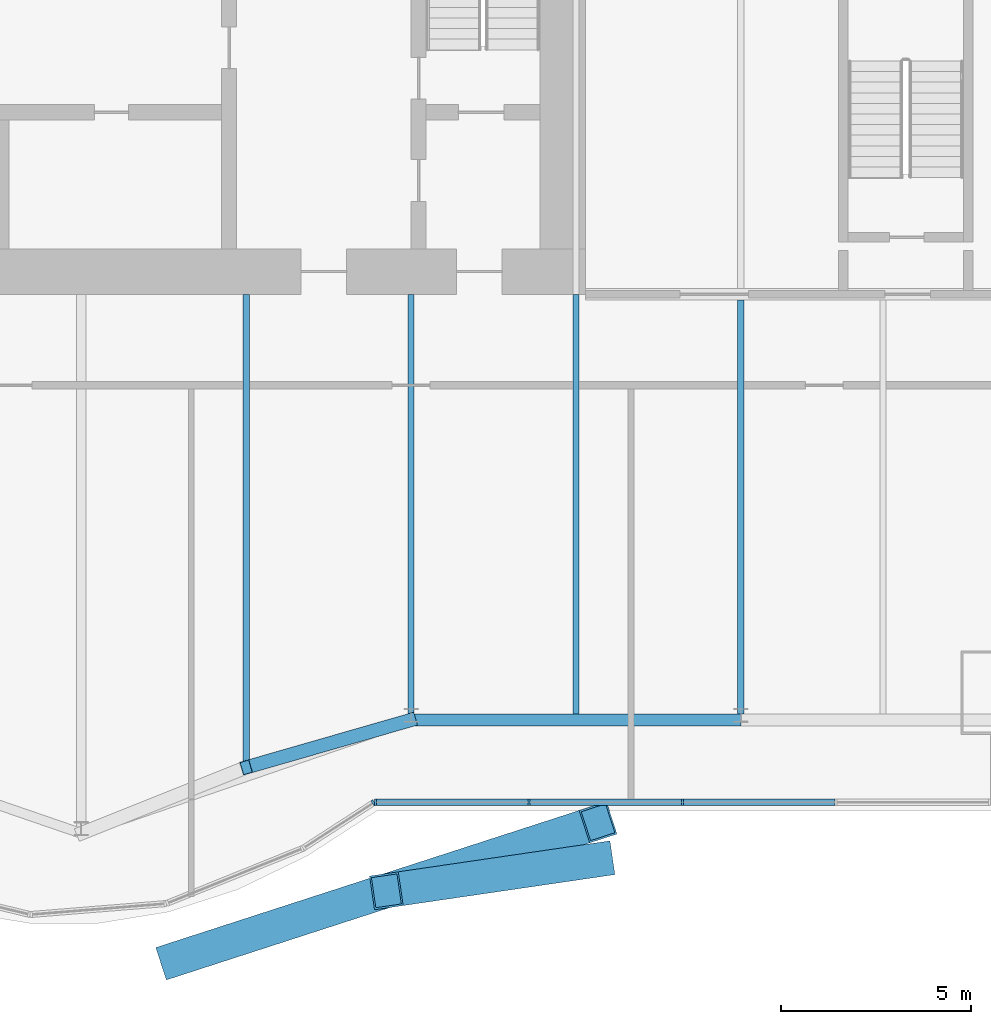
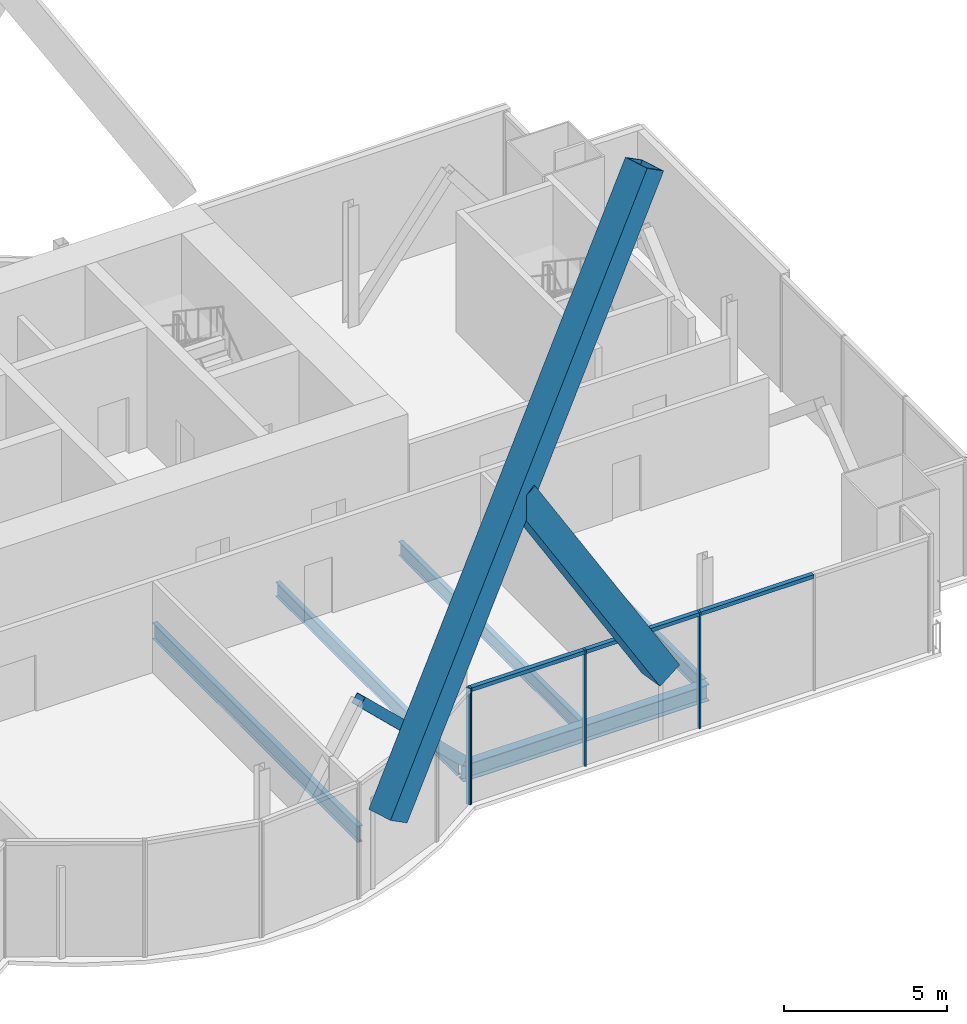
# One storey, part 10 of 20: 10 members, 5 beams, 2 elements without a shape of their own.
"""IFC4 building model written with IfcOpenShell, lengths in metres."""

import ifcopenshell
import ifcopenshell.guid

model = None  # the IFC model being written
_history = None  # IfcOwnerHistory: only IFC2X3 demands one
_inside = {}  # id of a spatial element -> (the spatial element, [elements in it])
_under = {}  # id of a project, library or spatial element -> (it, [spatial elements below it])
_declared = {}  # id of a project -> (the project, [libraries it declares])
_typed = {}  # id of a type object -> (the type object, [elements of that type])
_made_of = {}  # id of a material, layer set ... -> (it, [elements and type objects made of it])


def new_model(schema):
    """Start an empty IFC model of exactly this schema.

    Asked for "IFC4X3", IfcOpenShell would pick the latest addendum, in which some entities
    have other attributes; the version numbers below select the first issue.
    IFC2X3 requires an IfcOwnerHistory on every rooted entity: one is made here for all.
    """
    global model, _history
    if schema == "IFC4X3":
        model = ifcopenshell.file(schema_version=(4, 3, 0, 0))
    else:
        model = ifcopenshell.file(schema=schema)
    _inside.clear()
    _under.clear()
    _declared.clear()
    _typed.clear()
    _made_of.clear()
    _history = None
    if model.schema == "IFC2X3":
        org = make("IfcOrganization", Name="unknown")
        user = make(
            "IfcPersonAndOrganization",
            ThePerson=make("IfcPerson", FamilyName="unknown"),
            TheOrganization=org,
        )
        app = make(
            "IfcApplication",
            ApplicationDeveloper=org,
            Version="unknown",
            ApplicationFullName="unknown",
            ApplicationIdentifier="unknown",
        )
        _history = make(
            "IfcOwnerHistory",
            OwningUser=user,
            OwningApplication=app,
            ChangeAction="ADDED",
            CreationDate=0,
        )
    return model


def make(cls, **values):
    """One entity of the class cls with the attributes given. An attribute that is None is left unset."""
    return model.create_entity(
        cls, **{name: value for name, value in values.items() if value is not None}
    )


def rooted(cls, **values):
    """An entity with a GlobalId (a new one), such as an element, a storey or a relation."""
    return make(cls, GlobalId=ifcopenshell.guid.new(), OwnerHistory=_history, **values)


def si_unit(unit_type, name, prefix=None):
    """IfcSIUnit, for example si_unit("LENGTHUNIT", "METRE", prefix="MILLI")."""
    return make("IfcSIUnit", UnitType=unit_type, Prefix=prefix, Name=name)


def assignment(units):
    """IfcUnitAssignment: the units of a project."""
    return None if units is None else make("IfcUnitAssignment", Units=units)


def point(xyz):
    """IfcCartesianPoint."""
    return None if xyz is None else make("IfcCartesianPoint", Coordinates=xyz)


def direction(xyz):
    """IfcDirection."""
    return None if xyz is None else make("IfcDirection", DirectionRatios=xyz)


def frame(location, z_axis=None, x_axis=None):
    """IfcAxis2Placement3D, a coordinate frame: its origin and axes. An axis left out is left unset."""
    return make(
        "IfcAxis2Placement3D",
        Location=point(location),
        Axis=direction(z_axis),
        RefDirection=direction(x_axis),
    )


def frame_2d(location, x_axis=None):
    """IfcAxis2Placement2D, a coordinate frame in the plane: its origin and x axis."""
    return make(
        "IfcAxis2Placement2D", Location=point(location), RefDirection=direction(x_axis)
    )


def origin():
    """The frame at (0, 0, 0) with its axes left unset."""
    return frame((0.0, 0.0, 0.0))


def origin_2d():
    """The frame at (0, 0) in the plane with its x axis left unset."""
    return frame_2d((0.0, 0.0))


def place(relative_to, where):
    """IfcLocalPlacement: puts the frame where relative to a parent placement (None: the world)."""
    return make(
        "IfcLocalPlacement", PlacementRelTo=relative_to, RelativePlacement=where
    )


def context(
    kind, dimensions, precision=None, world=None, true_north=None, identifier=None
):
    """IfcGeometricRepresentationContext, for example the 3D "Model" context."""
    return make(
        "IfcGeometricRepresentationContext",
        ContextIdentifier=identifier,
        ContextType=kind,
        CoordinateSpaceDimension=dimensions,
        Precision=precision,
        WorldCoordinateSystem=world,
        TrueNorth=true_north,
    )


def subcontext(parent, identifier, kind, view, scale=None):
    """IfcGeometricRepresentationSubContext, for example "Body" below "Model"."""
    return make(
        "IfcGeometricRepresentationSubContext",
        ContextIdentifier=identifier,
        ContextType=kind,
        ParentContext=parent,
        TargetScale=scale,
        TargetView=view,
    )


def project(units=None, contexts=None):
    """IfcProject with its units and contexts."""
    return rooted(
        "IfcProject",
        Name="project",
        RepresentationContexts=contexts,
        UnitsInContext=assignment(units),
    )


def spatial(cls, under=None, at=None, **own):
    """A site, building, storey or space (cls), placed at a placement, below another one or the project."""
    s = rooted(cls, ObjectPlacement=at, **own)
    if under is not None:
        _under.setdefault(under.id(), (under, []))[1].append(s)
    return s


def profile(cls, at=None, kind="AREA", **sizes):
    """A parametric profile (cls). Its sizes go by their IFC names, for example OverallWidth=200.0."""
    return make(cls, ProfileType=kind, Position=at, **sizes)


def rectangle(**sizes):
    """IfcRectangleProfileDef."""
    return profile("IfcRectangleProfileDef", **sizes)


def hollow_rectangle(**sizes):
    """IfcRectangleHollowProfileDef."""
    return profile("IfcRectangleHollowProfileDef", **sizes)


def i_section(**sizes):
    """IfcIShapeProfileDef."""
    return profile("IfcIShapeProfileDef", **sizes)


def extrude(swept, where, along, depth):
    """IfcExtrudedAreaSolid: the profile swept, set in the frame where, extruded along a direction by depth."""
    return make(
        "IfcExtrudedAreaSolid",
        SweptArea=swept,
        Position=where,
        ExtrudedDirection=direction(along),
        Depth=depth,
    )


def shape(context_of_items, identifier, shape_type, items):
    """IfcShapeRepresentation: the items that make up one representation, for example the "Body"."""
    return make(
        "IfcShapeRepresentation",
        ContextOfItems=context_of_items,
        RepresentationIdentifier=identifier,
        RepresentationType=shape_type,
        Items=items,
    )


def material(Name=None, Category=None):
    """IfcMaterial."""
    return make("IfcMaterial", Name=Name, Category=Category)


def material_profile(
    of_material, cross_section, Name=None, Category=None, Priority=None
):
    """IfcMaterialProfile: a cross section and its material."""
    return make(
        "IfcMaterialProfile",
        Name=Name,
        Material=of_material,
        Profile=cross_section,
        Priority=Priority,
        Category=Category,
    )


def profile_set(profiles, Name=None, composite=None):
    """IfcMaterialProfileSet."""
    return make(
        "IfcMaterialProfileSet",
        Name=Name,
        MaterialProfiles=profiles,
        CompositeProfile=composite,
    )


def made_of(thing, what):
    """Note that an element or type object is made of a material, layer set ...; save() writes the relation."""
    if what is not None:
        _made_of.setdefault(what.id(), (what, []))[1].append(thing)
    return thing


def type_object(cls, material=None, **own):
    """A type object (cls), such as IfcWallType, which elements share."""
    return made_of(rooted(cls, **own), material)


def element(
    cls,
    number,
    at=None,
    inside=None,
    cuts=None,
    type_object=None,
    material=None,
    context=None,
    identifier="Body",
    shape_type=None,
    held_by="IfcProductDefinitionShape",
    body=None,
    shapes=None,
    **own,
):
    """One element of the class cls, such as IfcWall. Its Tag is "e" and its number.

    at: its placement. inside: the storey or other place that contains it. cuts: it is an
    opening in that element (IfcRelVoidsElement). A single representation is given by context,
    identifier, shape_type and body (its items); several are given by shapes. held_by: the class
    of the entity that holds the representations. save() writes the other relations.
    """
    e = rooted(cls, Tag="e%d" % number, ObjectPlacement=at, **own)
    if body is not None:
        shapes = [shape(context, identifier, shape_type, body)]
    if shapes is not None:
        e.Representation = make(held_by, Representations=shapes)
    if inside is not None:
        _inside.setdefault(inside.id(), (inside, []))[1].append(e)
    if cuts is not None:
        rooted(
            "IfcRelVoidsElement", RelatingBuildingElement=cuts, RelatedOpeningElement=e
        )
    if type_object is not None:
        _typed.setdefault(type_object.id(), (type_object, []))[1].append(e)
    return made_of(e, material)


def aggregate(whole, parts):
    """IfcRelAggregates: a whole, such as a stair, and the parts it consists of."""
    return rooted("IfcRelAggregates", RelatingObject=whole, RelatedObjects=parts)


def save(model, path):
    """Write the relations noted so far, then the file.

    IfcRelAggregates (storeys below a building ...), IfcRelContainedInSpatialStructure (elements
    in a storey), IfcRelDefinesByType, IfcRelAssociatesMaterial and IfcRelDeclares: one each for
    every whole, place, type object, material and project.
    """
    for whole, parts in _under.values():
        aggregate(whole, parts)
    for where, things in _inside.values():
        rooted(
            "IfcRelContainedInSpatialStructure",
            RelatedElements=things,
            RelatingStructure=where,
        )
    for kind, things in _typed.values():
        rooted("IfcRelDefinesByType", RelatedObjects=things, RelatingType=kind)
    for what, things in _made_of.values():
        rooted("IfcRelAssociatesMaterial", RelatedObjects=things, RelatingMaterial=what)
    for by, libraries in _declared.values():
        rooted("IfcRelDeclares", RelatingContext=by, RelatedDefinitions=libraries)
    model.write(path)


model = new_model("IFC4")

# Units and contexts
model_context = context("Model", 3, precision=1e-05, world=origin(), true_north=direction((0.0, 1.0)))
body_context = subcontext(model_context, "Body", "Model", "MODEL_VIEW")
ifc_project = project(units=[si_unit("LENGTHUNIT", "METRE"), si_unit("AREAUNIT", "SQUARE_METRE"), si_unit("VOLUMEUNIT", "CUBIC_METRE"), si_unit("PLANEANGLEUNIT", "RADIAN"), si_unit("MASSUNIT", "GRAM", prefix="KILO")], contexts=[model_context])

# Site, building, storey
site_placement = place(None, origin())
site = spatial("IfcSite", under=ifc_project, at=site_placement, CompositionType="ELEMENT")
building_placement = place(site_placement, origin())
building = spatial("IfcBuilding", under=site, at=building_placement, Name="Bicima Exchange Tower", CompositionType="ELEMENT")
storey_placement = place(building_placement, frame((0.0, 0.0, 306.5)))
storey = spatial("IfcBuildingStorey", under=building, at=storey_placement, Name="L69", CompositionType="ELEMENT", Elevation=306.5)

# Members
ifc_material_1 = material(Name="Steel ASTM A572 Gr 50", Category="steel")
ifc_material_profile_1 = material_profile(ifc_material_1, hollow_rectangle(XDim=0.89990234375, YDim=0.89990234375, WallThickness=0.050048828125, at=origin_2d()))
ifc_profile_set_1 = profile_set([ifc_material_profile_1], Name="Steel ASTM A572 Gr 50")
member_type_1 = type_object("IfcMemberType", Name="Exo mega brace BOX 900x900x50", PredefinedType="BRACE", material=ifc_profile_set_1)
member_1_placement = place(storey_placement, frame((11.166748046875, -30.54248046875, 3.88330078125), z_axis=(0.513950604062, 0.166451316148, 0.841515737189), x_axis=(-0.308110461288, 0.951350589239, 0.0)))
element("IfcMember", 1, at=member_1_placement, inside=storey, type_object=member_type_1, Name="Exo mega brace front", PredefinedType="BRACE", context=body_context, shape_type="SweptSolid", body=[
    extrude(hollow_rectangle(XDim=0.89990234375, YDim=0.89990234375, WallThickness=0.050048828125, at=origin_2d()), origin(), (0.0, 0.0, 1.0), 21.726806640625),
])
member_2_placement = place(storey_placement, frame((22.333251953125, -27.91748046875, 3.88330078125), z_axis=(-0.519717785341, -0.076040741167, 0.850947254113), x_axis=(0.144770251617, -0.989465297141, 0.0)))
element("IfcMember", 2, at=member_2_placement, inside=storey, type_object=member_type_1, Name="Exo mega brace front", PredefinedType="BRACE", context=body_context, shape_type="SweptSolid", body=[
    extrude(hollow_rectangle(XDim=0.89990234375, YDim=0.89990234375, WallThickness=0.050048828125, at=origin_2d()), origin(), (0.0, 0.0, 1.0), 10.742919921875),
])

# Beams
ifc_material_2 = material(Name="Steel ASTM A992 Gr 50", Category="steel")
ifc_material_profile_2 = material_profile(ifc_material_2, i_section(OverallWidth=0.165771484375, OverallDepth=0.5283203125, WebThickness=0.009765625, FlangeThickness=0.013671875, at=origin_2d()))
ifc_profile_set_2 = profile_set([ifc_material_profile_2], Name="Steel ASTM A992 Gr 50")
beam_type_1 = type_object("IfcBeamType", Name="Floor beam W21x50", PredefinedType="JOIST", material=ifc_profile_set_2)
beam_1_placement = place(storey_placement, frame((17.39990234375, -13.0, -0.414306640625), z_axis=(0.0, -1.0, 0.0), x_axis=(1.0, 0.0, 0.0)))
element("IfcBeam", 3, at=beam_1_placement, inside=storey, type_object=beam_type_1, Name="Floor beam", PredefinedType="JOIST", context=body_context, shape_type="SweptSolid", body=[
    extrude(i_section(OverallWidth=0.165771484375, OverallDepth=0.5283203125, WebThickness=0.009765625, FlangeThickness=0.013671875, at=origin_2d()), origin(), (0.0, 0.0, 1.0), 11.09228515625),
])
beam_2_placement = place(storey_placement, frame((21.75, -13.0, -0.414306640625), z_axis=(0.0, -1.0, 0.0), x_axis=(1.0, 0.0, 0.0)))
element("IfcBeam", 4, at=beam_2_placement, inside=storey, type_object=beam_type_1, Name="Floor beam", PredefinedType="JOIST", context=body_context, shape_type="SweptSolid", body=[
    extrude(i_section(OverallWidth=0.165771484375, OverallDepth=0.5283203125, WebThickness=0.009765625, FlangeThickness=0.013671875, at=origin_2d()), origin(), (0.0, 0.0, 1.0), 11.0654296875),
])
beam_3_placement = place(storey_placement, frame((26.10009765625, -13.15234375, -0.414306640625), z_axis=(0.0, -1.0, 0.0), x_axis=(1.0, 0.0, 0.0)))
element("IfcBeam", 5, at=beam_3_placement, inside=storey, type_object=beam_type_1, Name="Floor beam", PredefinedType="JOIST", context=body_context, shape_type="SweptSolid", body=[
    extrude(i_section(OverallWidth=0.165771484375, OverallDepth=0.5283203125, WebThickness=0.009765625, FlangeThickness=0.013671875, at=origin_2d()), origin(), (0.0, 0.0, 1.0), 10.9130859375),
])
ifc_material_profile_3 = material_profile(ifc_material_2, i_section(OverallWidth=0.177978515625, OverallDepth=0.599365234375, WebThickness=0.010009765625, FlangeThickness=0.012939453125, at=origin_2d()))
ifc_profile_set_3 = profile_set([ifc_material_profile_3], Name="Steel ASTM A992 Gr 50")
beam_type_2 = type_object("IfcBeamType", Name="Floor beam W24x55", PredefinedType="JOIST", material=ifc_profile_set_3)
beam_4_placement = place(storey_placement, frame((13.050048828125, -13.0, -0.44970703125), z_axis=(0.0, -1.0, 0.0), x_axis=(1.0, 0.0, 0.0)))
element("IfcBeam", 6, at=beam_4_placement, inside=storey, type_object=beam_type_2, Name="Floor beam", PredefinedType="JOIST", context=body_context, shape_type="SweptSolid", body=[
    extrude(i_section(OverallWidth=0.177978515625, OverallDepth=0.599365234375, WebThickness=0.010009765625, FlangeThickness=0.012939453125, at=origin_2d()), origin(), (0.0, 0.0, 1.0), 12.587890625),
])
ifc_material_profile_4 = material_profile(ifc_material_2, i_section(OverallWidth=0.3251953125, OverallDepth=0.612060546875, WebThickness=0.0126953125, FlangeThickness=0.01904296875, at=origin_2d()))
ifc_profile_set_4 = profile_set([ifc_material_profile_4], Name="Steel ASTM A992 Gr 50")
beam_type_3 = type_object("IfcBeamType", Name="Front girder W24x104", PredefinedType="BEAM", material=ifc_profile_set_4)
beam_5_placement = place(storey_placement, frame((17.39990234375, -24.22802734375, -0.4560546875), z_axis=(1.0, 0.0, 0.0), x_axis=(0.0, 1.0, 0.0)))
element("IfcBeam", 7, at=beam_5_placement, inside=storey, type_object=beam_type_3, Name="Front girder", PredefinedType="BEAM", context=body_context, shape_type="SweptSolid", body=[
    extrude(i_section(OverallWidth=0.3251953125, OverallDepth=0.612060546875, WebThickness=0.0126953125, FlangeThickness=0.01904296875, at=origin_2d()), origin(), (0.0, 0.0, 1.0), 8.7001953125),
])

# Curtain wall, member
ifc_material_3 = material(Name="Anodised bronze aluminium", Category="aluminium")
curtain_wall_type = type_object("IfcCurtainWallType", Name="Front glass wall", PredefinedType="NOTDEFINED", material=ifc_material_3)
curtain_wall_1_placement = place(storey_placement, origin())
curtain_wall_1 = element("IfcCurtainWall", 8, at=curtain_wall_1_placement, inside=storey, type_object=curtain_wall_type, Name="Front glass wall L69 run 11", PredefinedType="NOTDEFINED")
ifc_material_profile_5 = material_profile(ifc_material_3, rectangle(XDim=0.159912109375, YDim=0.06005859375, at=origin_2d()))
ifc_profile_set_5 = profile_set([ifc_material_profile_5], Name="Anodised bronze aluminium")
member_type_2 = type_object("IfcMemberType", Name="Front glass wall mullion 60 x 160", PredefinedType="MULLION", material=ifc_profile_set_5)
member_3_placement = place(storey_placement, frame((16.406982421875, -26.414306640625, 0.0), z_axis=(0.0, 0.0, 1.0), x_axis=(-0.542909183079, 0.839791413941, 0.0)))
member_3 = element("IfcMember", 9, at=member_3_placement, type_object=member_type_2, Name="Front glass wall mullion 2", PredefinedType="MULLION", context=body_context, shape_type="SweptSolid", body=[
    extrude(rectangle(XDim=0.159912109375, YDim=0.06005859375, at=origin_2d()), origin(), (0.0, 0.0, 1.0), 4.35009765625),
])
aggregate(curtain_wall_1, [member_3])

# Curtain wall, members
curtain_wall_2_placement = place(storey_placement, origin())
curtain_wall_2 = element("IfcCurtainWall", 10, at=curtain_wall_2_placement, inside=storey, type_object=curtain_wall_type, Name="Front glass wall L69 run 16", PredefinedType="NOTDEFINED")
member_4_placement = place(storey_placement, frame((16.462158203125, -26.39794921875, 0.0), z_axis=(0.0, 0.0, 1.0), x_axis=(0.0, 1.0, 0.0)))
member_4 = element("IfcMember", 11, at=member_4_placement, type_object=member_type_2, Name="Front glass wall mullion 1", PredefinedType="MULLION", context=body_context, shape_type="SweptSolid", body=[
    extrude(rectangle(XDim=0.159912109375, YDim=0.06005859375, at=origin_2d()), origin(), (0.0, 0.0, 1.0), 4.35009765625),
])
member_5_placement = place(storey_placement, frame((20.51171875, -26.39794921875, 0.0), z_axis=(0.0, 0.0, 1.0), x_axis=(0.0, 1.0, 0.0)))
member_5 = element("IfcMember", 12, at=member_5_placement, type_object=member_type_2, Name="Front glass wall mullion 2", PredefinedType="MULLION", context=body_context, shape_type="SweptSolid", body=[
    extrude(rectangle(XDim=0.159912109375, YDim=0.06005859375, at=origin_2d()), origin(), (0.0, 0.0, 1.0), 4.35009765625),
])
member_6_placement = place(storey_placement, frame((24.56103515625, -26.39794921875, 0.0), z_axis=(0.0, 0.0, 1.0), x_axis=(0.0, 1.0, 0.0)))
member_6 = element("IfcMember", 13, at=member_6_placement, type_object=member_type_2, Name="Front glass wall mullion 3", PredefinedType="MULLION", context=body_context, shape_type="SweptSolid", body=[
    extrude(rectangle(XDim=0.159912109375, YDim=0.06005859375, at=origin_2d()), origin(), (0.0, 0.0, 1.0), 4.35009765625),
])
ifc_material_profile_6 = material_profile(ifc_material_3, rectangle(XDim=0.159912109375, YDim=0.139892578125, at=origin_2d()))
ifc_profile_set_6 = profile_set([ifc_material_profile_6], Name="Anodised bronze aluminium")
member_type_3 = type_object("IfcMemberType", Name="Front glass wall transom 140 x 160", PredefinedType="USERDEFINED", material=ifc_profile_set_6)
member_7_placement = place(storey_placement, frame((16.4921875, -26.39794921875, 4.280029296875), z_axis=(1.0, 0.0, 0.0), x_axis=(0.0, 1.0, 0.0)))
member_7 = element("IfcMember", 14, at=member_7_placement, type_object=member_type_3, Name="Front glass wall transom 1.1", ObjectType="TRANSOM", PredefinedType="USERDEFINED", context=body_context, shape_type="SweptSolid", body=[
    extrude(rectangle(XDim=0.159912109375, YDim=0.139892578125, at=origin_2d()), origin(), (0.0, 0.0, 1.0), 3.989501953125),
])
member_8_placement = place(storey_placement, frame((20.54150390625, -26.39794921875, 4.280029296875), z_axis=(1.0, 0.0, 0.0), x_axis=(0.0, 1.0, 0.0)))
member_8 = element("IfcMember", 15, at=member_8_placement, type_object=member_type_3, Name="Front glass wall transom 2.1", ObjectType="TRANSOM", PredefinedType="USERDEFINED", context=body_context, shape_type="SweptSolid", body=[
    extrude(rectangle(XDim=0.159912109375, YDim=0.139892578125, at=origin_2d()), origin(), (0.0, 0.0, 1.0), 3.989501953125),
])
member_9_placement = place(storey_placement, frame((24.591064453125, -26.39794921875, 4.280029296875), z_axis=(1.0, 0.0, 0.0), x_axis=(0.0, 1.0, 0.0)))
member_9 = element("IfcMember", 16, at=member_9_placement, type_object=member_type_3, Name="Front glass wall transom 3.1", ObjectType="TRANSOM", PredefinedType="USERDEFINED", context=body_context, shape_type="SweptSolid", body=[
    extrude(rectangle(XDim=0.159912109375, YDim=0.139892578125, at=origin_2d()), origin(), (0.0, 0.0, 1.0), 3.989501953125),
])
aggregate(curtain_wall_2, [member_4, member_5, member_6, member_7, member_8, member_9])

# Member
ifc_material_profile_7 = material_profile(ifc_material_1, hollow_rectangle(XDim=0.355712890625, YDim=0.355712890625, WallThickness=0.01171875, at=origin_2d()))
ifc_profile_set_7 = profile_set([ifc_material_profile_7], Name="Steel ASTM A572 Gr 50")
member_type_4 = type_object("IfcMemberType", Name="Mega brace HSS14x14x1/2", PredefinedType="BRACE", material=ifc_profile_set_7)
member_10_placement = place(storey_placement, frame((17.39990234375, -24.22802734375, 0.0), z_axis=(-0.681519101026, -0.196074923492, 0.705043501718), x_axis=(0.27648739579, -0.961017544049, 0.0)))
element("IfcMember", 17, at=member_10_placement, inside=storey, type_object=member_type_4, Name="Mega brace front", PredefinedType="BRACE", context=body_context, shape_type="SweptSolid", body=[
    extrude(hollow_rectangle(XDim=0.355712890625, YDim=0.355712890625, WallThickness=0.01171875, at=origin_2d()), origin(), (0.0, 0.0, 1.0), 6.382568359375),
])

save(model, "model.ifc")
